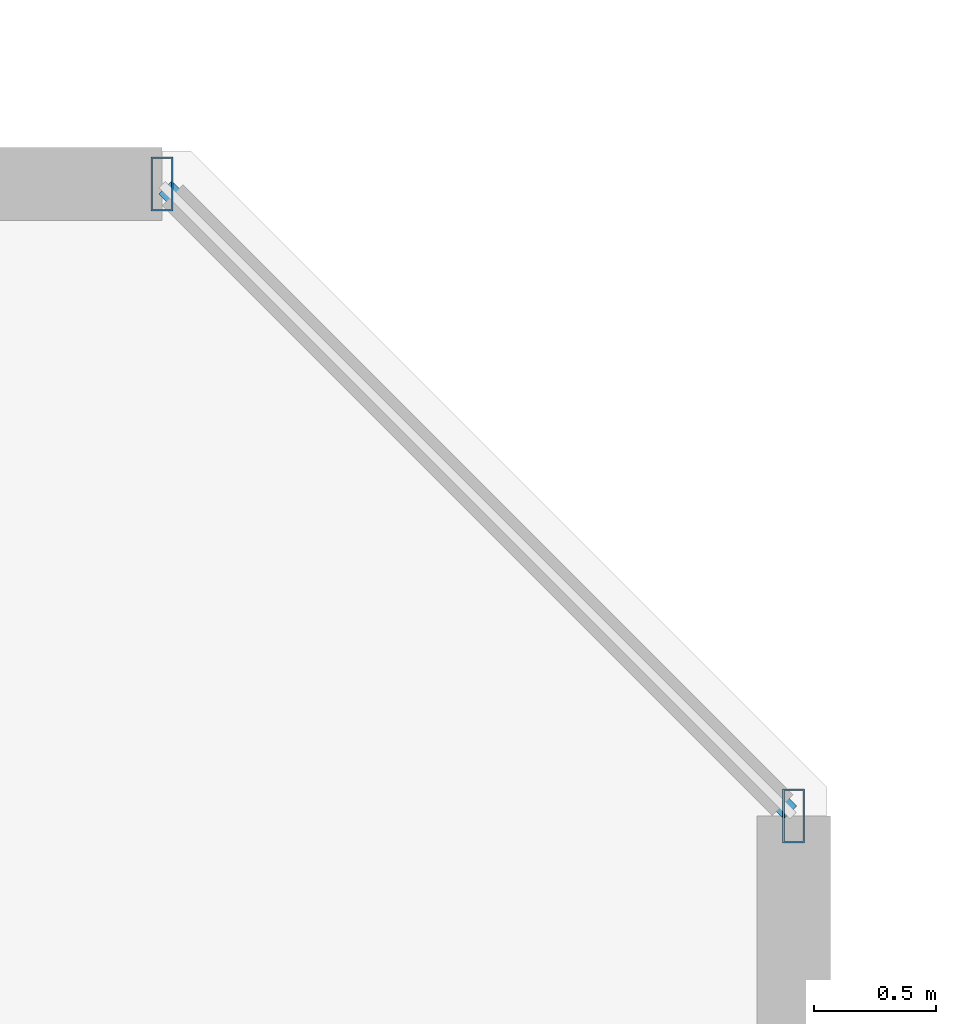
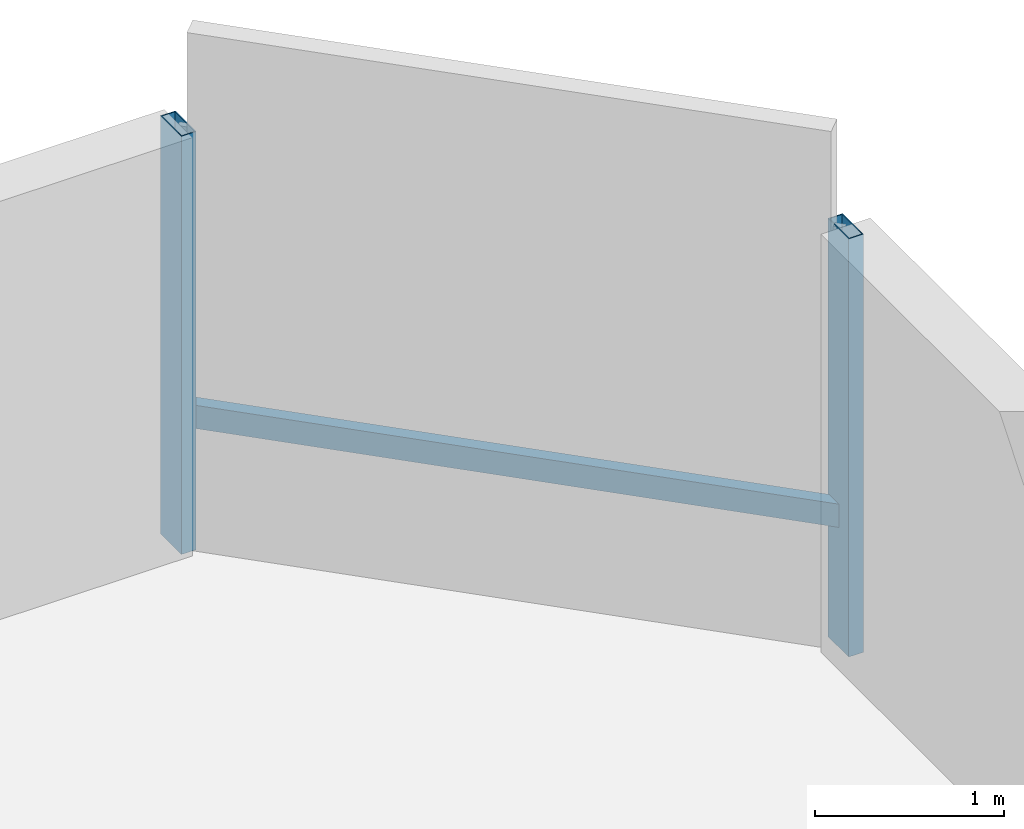
# One storey, part 18 of 34: 3 members, 1 element without a shape of its own.
"""IFC4 building model written with IfcOpenShell, lengths in metres."""

from ifc_helpers import new_model, si_unit, direction, frame, origin, origin_2d, place, context, subcontext, project, spatial, hollow_rectangle, extrude, material, material_profile, profile_set, type_object, element, aggregate, save


model = new_model("IFC4")

# Units and contexts
model_context = context("Model", 3, precision=1e-05, world=origin(), true_north=direction((0.0, 1.0)))
body_context = subcontext(model_context, "Body", "Model", "MODEL_VIEW")
ifc_project = project(units=[si_unit("LENGTHUNIT", "METRE"), si_unit("AREAUNIT", "SQUARE_METRE"), si_unit("VOLUMEUNIT", "CUBIC_METRE"), si_unit("PLANEANGLEUNIT", "RADIAN"), si_unit("MASSUNIT", "GRAM", prefix="KILO")], contexts=[model_context])

# Site, building, storey
site_placement = place(None, origin())
site = spatial("IfcSite", under=ifc_project, at=site_placement, CompositionType="ELEMENT")
building_placement = place(site_placement, origin())
building = spatial("IfcBuilding", under=site, at=building_placement, Name="Thornwick Lancets Civic Towers", CompositionType="ELEMENT")
storey_placement = place(building_placement, frame((0.0, 0.0, 60.89990234375)))
storey = spatial("IfcBuildingStorey", under=building, at=storey_placement, Name="L15", CompositionType="ELEMENT", Elevation=60.89990234375)

# Curtain wall, members
ifc_material_1 = material(Name="Low-zone chamfered-corner unitised glass curtain wall", Category="glass")
curtain_wall_type = type_object("IfcCurtainWallType", Name="CW_SYS_03", PredefinedType="NOTDEFINED", material=ifc_material_1)
curtain_wall_placement = place(storey_placement, origin())
curtain_wall = element("IfcCurtainWall", 1, at=curtain_wall_placement, inside=storey, type_object=curtain_wall_type, Name="L15 Curtain Wall CW-L15-B-E3", PredefinedType="NOTDEFINED")
ifc_material_2 = material(Name="Thermally broken bronze aluminium S355", Category="steel")
ifc_material_profile_1 = material_profile(ifc_material_2, hollow_rectangle(XDim=0.090087890625, YDim=0.219970703125, WallThickness=0.00634765625, at=origin_2d()), Name="RHS 220x90x6.3")
ifc_profile_set_1 = profile_set([ifc_material_profile_1], Name="Thermally broken bronze aluminium S355")
member_type_1 = type_object("IfcMemberType", Name="CW_MUL_220", PredefinedType="MULLION", material=ifc_profile_set_1)
member_1_placement = place(storey_placement, frame((112.764892578125, 48.68115234375, 0.0), z_axis=(0.0, 0.0, 1.0), x_axis=(1.0, 0.0, 0.0)))
member_1 = element("IfcMember", 2, at=member_1_placement, type_object=member_type_1, Name="CW-L15-B-E3 Mullion 0", PredefinedType="MULLION", context=body_context, shape_type="SweptSolid", body=[
    extrude(hollow_rectangle(XDim=0.090087890625, YDim=0.219970703125, WallThickness=0.00634765625, at=origin_2d()), origin(), (0.0, 0.0, 1.0), 2.7001953125),
])
member_2_placement = place(storey_placement, frame((110.18115234375, 51.264892578125, 0.0), z_axis=(0.0, 0.0, 1.0), x_axis=(1.0, 0.0, 0.0)))
member_2 = element("IfcMember", 3, at=member_2_placement, type_object=member_type_1, Name="CW-L15-B-E3 Mullion 1", PredefinedType="MULLION", context=body_context, shape_type="SweptSolid", body=[
    extrude(hollow_rectangle(XDim=0.090087890625, YDim=0.219970703125, WallThickness=0.00634765625, at=origin_2d()), origin(), (0.0, 0.0, 1.0), 2.7001953125),
])
ifc_material_profile_2 = material_profile(ifc_material_2, hollow_rectangle(XDim=0.074951171875, YDim=0.14990234375, WallThickness=0.0048828125, at=origin_2d()), Name="RHS 150x75x5")
ifc_profile_set_2 = profile_set([ifc_material_profile_2], Name="Thermally broken bronze aluminium S355")
member_type_2 = type_object("IfcMemberType", Name="CW_TRN_150", PredefinedType="USERDEFINED", material=ifc_profile_set_2)
member_3_placement = place(storey_placement, frame((112.750732421875, 48.6953125, 0.85009765625), z_axis=(-0.707106781187, 0.707106781187, 0.0), x_axis=(-0.707106781187, -0.707106781187, 0.0)))
member_3 = element("IfcMember", 4, at=member_3_placement, type_object=member_type_2, Name="CW-L15-B-E3 Transom 0", ObjectType="TRANSOM", PredefinedType="USERDEFINED", context=body_context, shape_type="SweptSolid", body=[
    extrude(hollow_rectangle(XDim=0.074951171875, YDim=0.14990234375, WallThickness=0.0048828125, at=origin_2d()), origin(), (0.0, 0.0, 1.0), 3.614013671875),
])
aggregate(curtain_wall, [member_1, member_2, member_3])

save(model, "model.ifc")
